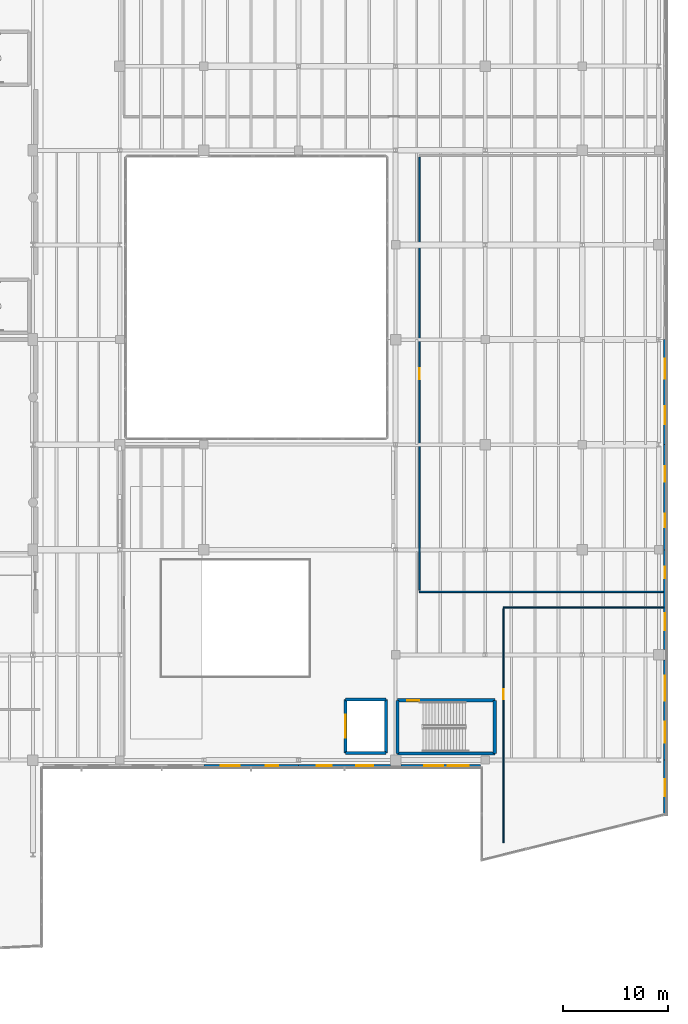
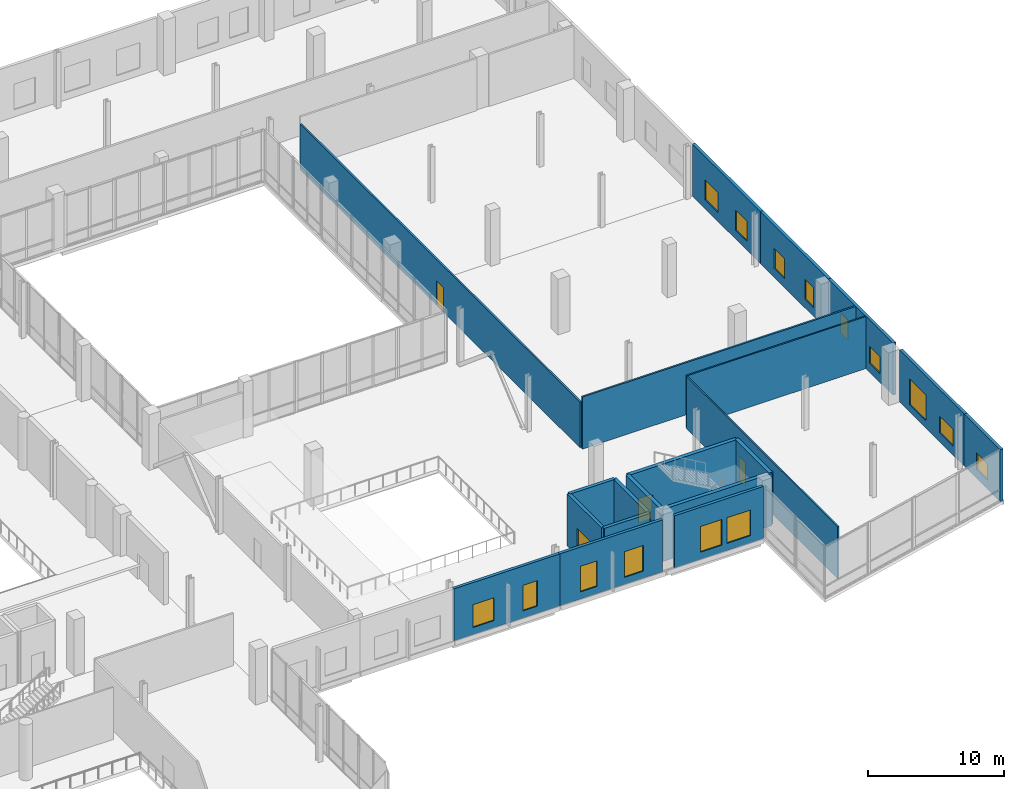
# One storey, part 64 of 81: 20 walls, 15 windows, 4 doors, 19 openings.
"""IFC4 building model written with IfcOpenShell, lengths in metres."""

from ifc_helpers import new_model, si_unit, direction, frame, frame_2d, origin, place, context, subcontext, project, spatial, rectangle, extrude, material, layer, layer_set, type_object, element, fill, save


model = new_model("IFC4")

# Units and contexts
model_context = context("Model", 3, precision=1e-05, world=origin(), true_north=direction((0.0, 1.0)))
body_context = subcontext(model_context, "Body", "Model", "MODEL_VIEW")
ifc_project = project(units=[si_unit("LENGTHUNIT", "METRE"), si_unit("AREAUNIT", "SQUARE_METRE"), si_unit("VOLUMEUNIT", "CUBIC_METRE"), si_unit("PLANEANGLEUNIT", "RADIAN"), si_unit("MASSUNIT", "GRAM", prefix="KILO")], contexts=[model_context])

# Site, building, storey
site_placement = place(None, origin())
site = spatial("IfcSite", under=ifc_project, at=site_placement, CompositionType="ELEMENT")
building_placement = place(site_placement, origin())
building = spatial("IfcBuilding", under=site, at=building_placement, Name="Trimount Lyric Opera House", CompositionType="ELEMENT")
storey_placement = place(building_placement, frame((0.0, 0.0, 5.0)))
storey = spatial("IfcBuildingStorey", under=building, at=storey_placement, Name="L01", CompositionType="ELEMENT", Elevation=5.0)

# Wall
ifc_material_1 = material(Name="Gypsum Board Partition")
ifc_layer_1 = layer(ifc_material_1, 0.1201171875)
ifc_layer_set_1 = layer_set([ifc_layer_1], Name="WL-PT120")
wall_type_1 = type_object("IfcWallType", Name="WL-PT120", PredefinedType="PARTITIONING", material=ifc_layer_set_1)
wall_1_placement = place(storey_placement, frame((173.75, 58.5, 0.0), z_axis=(0.0, 0.0, 1.0), x_axis=(-1.0, 0.0, 0.0)))
element("IfcWall", 1, at=wall_1_placement, inside=storey, type_object=wall_type_1, Name="L01 Production Management Offices N partition", PredefinedType="PARTITIONING", context=body_context, shape_type="SweptSolid", body=[
    extrude(rectangle(XDim=15.25, YDim=0.1201171875, at=frame_2d((7.625, 0.0))), origin(), (0.0, 0.0, 1.0), 4.679931640625),
])

# Wall, opening, door
wall_2_placement = place(storey_placement, frame((158.5, 58.3798828125, 0.0), z_axis=(0.0, 0.0, 1.0), x_axis=(0.0, -1.0, 0.0)))
wall_2 = element("IfcWall", 2, at=wall_2_placement, inside=storey, type_object=wall_type_1, Name="L01 Production Management Offices W partition", PredefinedType="PARTITIONING", context=body_context, shape_type="SweptSolid", body=[
    extrude(rectangle(XDim=22.259765625, YDim=0.1201171875, at=frame_2d((11.1298828125, 0.0))), origin(), (0.0, 0.0, 1.0), 4.679931640625),
])
opening_1_placement = place(wall_2_placement, frame((7.655029296875, 0.0, 0.0)))
opening_1 = element("IfcOpeningElement", 3, at=opening_1_placement, cuts=wall_2, Name="Opening DT-RM2", PredefinedType="OPENING", context=body_context, shape_type="SweptSolid", body=[
    extrude(rectangle(XDim=0.949951171875, YDim=2.14990234375, at=frame_2d((0.47509765625, 1.074951171875))), frame((0.0, 0.070068359375, 0.0), z_axis=(0.0, -1.0, 0.0), x_axis=(1.0, 0.0, 0.0)), (0.0, 0.0, 1.0), 0.14013671875),
])
ifc_material_2 = material(Name="Solid Core White Oak")
door_type_1 = type_object("IfcDoorType", Name="DT-RM2", OperationType="NOTDEFINED", PredefinedType="DOOR", material=ifc_material_2)
door_1_placement = place(opening_1_placement, origin())
door_1 = element("IfcDoor", 4, at=door_1_placement, inside=storey, type_object=door_type_1, Name="D-206", OperationType="SINGLE_SWING_RIGHT", OverallHeight=2.14990234375, OverallWidth=0.949951171875, PredefinedType="DOOR", context=body_context, shape_type="SweptSolid", body=[
    extrude(rectangle(XDim=0.949951171875, YDim=2.14990234375, at=frame_2d((0.47509765625, 1.074951171875))), frame((0.0, 0.02490234375, 0.0), z_axis=(0.0, -1.0, 0.0), x_axis=(1.0, 0.0, 0.0)), (0.0, 0.0, 1.0), 0.050048828125),
])
fill(opening_1, door_1)

# Wall
ifc_material_3 = material(Name="Fire-Rated Gypsum Board Partition")
ifc_layer_2 = layer(ifc_material_3, 0.14990234375)
ifc_layer_set_2 = layer_set([ifc_layer_2], Name="WL-PT150")
wall_type_2 = type_object("IfcWallType", Name="WL-PT150", PredefinedType="PARTITIONING", material=ifc_layer_set_2)
wall_3_placement = place(storey_placement, frame((150.5, 60.0, 0.0), z_axis=(0.0, 0.0, 1.0), x_axis=(1.0, 0.0, 0.0)))
element("IfcWall", 5, at=wall_3_placement, inside=storey, type_object=wall_type_2, Name="L01 Scenic Backdrop Paint Loft S partition", PredefinedType="PARTITIONING", context=body_context, shape_type="SweptSolid", body=[
    extrude(rectangle(XDim=23.25, YDim=0.14990234375, at=frame_2d((11.625, 0.0))), origin(), (0.0, 0.0, 1.0), 4.679931640625),
])

# Wall, opening, door
wall_4_placement = place(storey_placement, frame((150.5, 101.35009765625, 0.0), z_axis=(0.0, 0.0, 1.0), x_axis=(0.0, -1.0, 0.0)))
wall_4 = element("IfcWall", 6, at=wall_4_placement, inside=storey, type_object=wall_type_2, Name="L01 Scenic Backdrop Paint Loft W partition", PredefinedType="PARTITIONING", context=body_context, shape_type="SweptSolid", body=[
    extrude(rectangle(XDim=41.2001953125, YDim=0.14990234375, at=frame_2d((20.60009765625, 0.0))), origin(), (0.0, 0.0, 1.0), 4.10791015625),
])
opening_2_placement = place(wall_4_placement, frame((20.074951171875, 0.0, 0.0)))
opening_2 = element("IfcOpeningElement", 7, at=opening_2_placement, cuts=wall_4, Name="Opening DT-RM3", PredefinedType="OPENING", context=body_context, shape_type="SweptSolid", body=[
    extrude(rectangle(XDim=1.050048828125, YDim=2.199951171875, at=frame_2d((0.52490234375, 1.10009765625))), frame((0.0, 0.0849609375, 0.0), z_axis=(0.0, -1.0, 0.0), x_axis=(1.0, 0.0, 0.0)), (0.0, 0.0, 1.0), 0.169921875),
])
ifc_material_4 = material(Name="Solid Core White Oak")
door_type_2 = type_object("IfcDoorType", Name="DT-RM3", OperationType="NOTDEFINED", PredefinedType="DOOR", material=ifc_material_4)
door_2_placement = place(opening_2_placement, origin())
door_2 = element("IfcDoor", 8, at=door_2_placement, inside=storey, type_object=door_type_2, Name="D-202", OperationType="SINGLE_SWING_LEFT", OverallHeight=2.199951171875, OverallWidth=1.050048828125, PredefinedType="DOOR", context=body_context, shape_type="SweptSolid", body=[
    extrude(rectangle(XDim=1.050048828125, YDim=2.199951171875, at=frame_2d((0.52490234375, 1.10009765625))), frame((0.0, 0.02490234375, 0.0), z_axis=(0.0, -1.0, 0.0), x_axis=(1.0, 0.0, 0.0)), (0.0, 0.0, 1.0), 0.050048828125),
])
fill(opening_2, door_2)

# Walls
ifc_material_5 = material(Name="Concrete C40/50", Category="concrete")
ifc_layer_3 = layer(ifc_material_5, 0.280029296875)
ifc_layer_set_3 = layer_set([ifc_layer_3], Name="WL-SH280")
wall_type_3 = type_object("IfcWallType", Name="WL-SH280", PredefinedType="SHEAR", material=ifc_layer_set_3)
for number, where, z_axis, x_axis, name in (
    (9, (143.4599609375, 44.659912109375, 0.0), (0.0, 0.0, 1.0), (1.0, 0.0, 0.0), "Lift LF-07 L01 south shaft wall"),
    (10, (147.340087890625, 49.739990234375, 0.0), (0.0, 0.0, 1.0), (-1.0, 0.0, 0.0), "Lift LF-07 L01 north shaft wall"),
):
    element("IfcWall", number, at=place(storey_placement, frame(where, z_axis=z_axis, x_axis=x_axis)), inside=storey, type_object=wall_type_3, Name=name, PredefinedType="SHEAR", context=body_context, shape_type="SweptSolid", body=[
        extrude(rectangle(XDim=3.880126953125, YDim=0.280029296875, at=frame_2d((1.93994140625, 0.0))), origin(), (0.0, 0.0, 1.0), 4.679931640625),
    ])

# Wall, opening, door
wall_5_placement = place(storey_placement, frame((143.4599609375, 49.739990234375, 0.0), z_axis=(0.0, 0.0, 1.0), x_axis=(0.0, -1.0, 0.0)))
wall_5 = element("IfcWall", 11, at=wall_5_placement, inside=storey, type_object=wall_type_3, Name="Lift LF-07 L01 west shaft wall", PredefinedType="SHEAR", context=body_context, shape_type="SweptSolid", body=[
    extrude(rectangle(XDim=5.080078125, YDim=0.280029296875, at=frame_2d((2.5400390625, 0.0))), origin(), (0.0, 0.0, 1.0), 4.679931640625),
])
opening_3_placement = place(wall_5_placement, frame((1.43994140625, 0.0, 0.0)))
opening_3 = element("IfcOpeningElement", 12, at=opening_3_placement, cuts=wall_5, Name="Opening DT-LD2", PredefinedType="OPENING", context=body_context, shape_type="SweptSolid", body=[
    extrude(rectangle(XDim=2.199951171875, YDim=2.449951171875, at=frame_2d((1.10009765625, 1.22509765625))), frame((0.0, 0.14990234375, 0.0), z_axis=(0.0, -1.0, 0.0), x_axis=(1.0, 0.0, 0.0)), (0.0, 0.0, 1.0), 0.300048828125),
])
ifc_material_6 = material(Name="Heavy-Duty Stainless Steel", Category="steel")
door_type_3 = type_object("IfcDoorType", Name="DT-LD2", OperationType="DOUBLE_DOOR_SLIDING", PredefinedType="DOOR", material=ifc_material_6)
door_3_placement = place(opening_3_placement, origin())
door_3 = element("IfcDoor", 13, at=door_3_placement, inside=storey, type_object=door_type_3, Name="D-114", OperationType="DOUBLE_DOOR_SLIDING", OverallHeight=2.449951171875, OverallWidth=2.199951171875, PredefinedType="DOOR", context=body_context, shape_type="SweptSolid", body=[
    extrude(rectangle(XDim=2.199951171875, YDim=2.449951171875, at=frame_2d((1.10009765625, 1.22509765625))), frame((0.0, 0.02490234375, 0.0), z_axis=(0.0, -1.0, 0.0), x_axis=(1.0, 0.0, 0.0)), (0.0, 0.0, 1.0), 0.050048828125),
])
fill(opening_3, door_3)

# Walls
wall_6_placement = place(storey_placement, frame((147.340087890625, 44.659912109375, 0.0), z_axis=(0.0, 0.0, 1.0), x_axis=(0.0, 1.0, 0.0)))
element("IfcWall", 14, at=wall_6_placement, inside=storey, type_object=wall_type_3, Name="Lift LF-07 L01 east shaft wall", PredefinedType="SHEAR", context=body_context, shape_type="SweptSolid", body=[
    extrude(rectangle(XDim=5.080078125, YDim=0.280029296875, at=frame_2d((2.5400390625, 0.0))), origin(), (0.0, 0.0, 1.0), 4.679931640625),
])
ifc_material_7 = material(Name="Concrete C40/50", Category="concrete")
ifc_layer_4 = layer(ifc_material_7, 0.320068359375)
ifc_layer_set_4 = layer_set([ifc_layer_4], Name="WL-SH320")
wall_type_4 = type_object("IfcWallType", Name="WL-SH320", PredefinedType="SHEAR", material=ifc_layer_set_4)
wall_7_placement = place(storey_placement, frame((148.425048828125, 44.625, 0.0), z_axis=(0.0, 0.0, 1.0), x_axis=(1.0, 0.0, 0.0)))
element("IfcWall", 15, at=wall_7_placement, inside=storey, type_object=wall_type_4, Name="K5 L01 south shaft wall", PredefinedType="SHEAR", context=body_context, shape_type="SweptSolid", body=[
    extrude(rectangle(XDim=9.25, YDim=0.320068359375, at=frame_2d((4.625, 0.0))), origin(), (0.0, 0.0, 1.0), 4.679931640625),
])

# Wall, opening, door
wall_8_placement = place(storey_placement, frame((157.675048828125, 49.675048828125, 0.0), z_axis=(0.0, 0.0, 1.0), x_axis=(-1.0, 0.0, 0.0)))
wall_8 = element("IfcWall", 16, at=wall_8_placement, inside=storey, type_object=wall_type_4, Name="K5 L01 north shaft wall", PredefinedType="SHEAR", context=body_context, shape_type="SweptSolid", body=[
    extrude(rectangle(XDim=9.25, YDim=0.320068359375, at=frame_2d((4.625, 0.0))), origin(), (0.0, 0.0, 1.0), 4.679931640625),
])
opening_4_placement = place(wall_8_placement, frame((7.199951171875, 0.0, 0.0)))
opening_4 = element("IfcOpeningElement", 17, at=opening_4_placement, cuts=wall_8, Name="Opening DT-ST1", PredefinedType="OPENING", context=body_context, shape_type="SweptSolid", body=[
    extrude(rectangle(XDim=1.14990234375, YDim=2.199951171875, at=frame_2d((0.574951171875, 1.10009765625))), frame((0.0, 0.169921875, 0.0), z_axis=(0.0, -1.0, 0.0), x_axis=(1.0, 0.0, 0.0)), (0.0, 0.0, 1.0), 0.340087890625),
])
ifc_material_8 = material(Name="Fire-Rated Hollow Steel", Category="steel")
door_type_4 = type_object("IfcDoorType", Name="DT-ST1", OperationType="NOTDEFINED", PredefinedType="DOOR", material=ifc_material_8)
door_4_placement = place(opening_4_placement, origin())
door_4 = element("IfcDoor", 18, at=door_4_placement, inside=storey, type_object=door_type_4, Name="D-041", OperationType="SINGLE_SWING_LEFT", OverallHeight=2.199951171875, OverallWidth=1.14990234375, PredefinedType="DOOR", context=body_context, shape_type="SweptSolid", body=[
    extrude(rectangle(XDim=1.14990234375, YDim=2.199951171875, at=frame_2d((0.574951171875, 1.10009765625))), frame((0.0, 0.02490234375, 0.0), z_axis=(0.0, -1.0, 0.0), x_axis=(1.0, 0.0, 0.0)), (0.0, 0.0, 1.0), 0.050048828125),
])
fill(opening_4, door_4)

# Walls
for number, where, z_axis, x_axis, name in (
    (19, (148.425048828125, 49.675048828125, 0.0), (0.0, 0.0, 1.0), (0.0, -1.0, 0.0), "K5 L01 west shaft wall"),
    (20, (157.675048828125, 44.625, 0.0), (0.0, 0.0, 1.0), (0.0, 1.0, 0.0), "K5 L01 east shaft wall"),
):
    element("IfcWall", number, at=place(storey_placement, frame(where, z_axis=z_axis, x_axis=x_axis)), inside=storey, type_object=wall_type_4, Name=name, PredefinedType="SHEAR", context=body_context, shape_type="SweptSolid", body=[
        extrude(rectangle(XDim=5.050048828125, YDim=0.320068359375, at=frame_2d((2.52490234375, 0.0))), origin(), (0.0, 0.0, 1.0), 4.679931640625),
    ])

# Wall, openings, windows
ifc_material_9 = material(Name="Concrete C35/45", Category="concrete")
ifc_layer_5 = layer(ifc_material_9, 0.25)
ifc_layer_set_5 = layer_set([ifc_layer_5], Name="WL-SW250")
wall_type_5 = type_object("IfcWallType", Name="WL-SW250", PredefinedType="SOLIDWALL", material=ifc_layer_set_5)
wall_9_placement = place(storey_placement, frame((156.320068359375, 43.4599609375, 0.0), z_axis=(0.0, 0.0, 1.0), x_axis=(-1.0, 0.0, 0.0)))
wall_9 = element("IfcWall", 21, at=wall_9_placement, inside=storey, type_object=wall_type_5, Name="L01 exterior facade wall 149", PredefinedType="SOLIDWALL", context=body_context, shape_type="SweptSolid", body=[
    extrude(rectangle(XDim=7.580078125, YDim=0.25, at=frame_2d((3.7900390625, 0.0))), origin(), (0.0, 0.0, 1.0), 4.679931640625),
])
opening_5_placement = place(wall_9_placement, frame((1.122314453125, 0.0, 0.64990234375)))
opening_5 = element("IfcOpeningElement", 22, at=opening_5_placement, cuts=wall_9, Name="Opening WT-03", PredefinedType="OPENING", context=body_context, shape_type="SweptSolid", body=[
    extrude(rectangle(XDim=2.0, YDim=2.300048828125, at=frame_2d((1.0, 1.14990234375))), frame((0.0, 0.135009765625, 0.0), z_axis=(0.0, -1.0, 0.0), x_axis=(1.0, 0.0, 0.0)), (0.0, 0.0, 1.0), 0.27001953125),
])
opening_6_placement = place(wall_9_placement, frame((3.5576171875, 0.0, 0.64990234375)))
opening_6 = element("IfcOpeningElement", 23, at=opening_6_placement, cuts=wall_9, Name="Opening WT-04", PredefinedType="OPENING", context=body_context, shape_type="SweptSolid", body=[
    extrude(rectangle(XDim=1.800048828125, YDim=2.300048828125, at=frame_2d((0.89990234375, 1.14990234375))), frame((0.0, 0.135009765625, 0.0), z_axis=(0.0, -1.0, 0.0), x_axis=(1.0, 0.0, 0.0)), (0.0, 0.0, 1.0), 0.27001953125),
])
ifc_material_10 = material(Name="Triple Acoustic Glazing in Aluminium Frame", Category="aluminium")
window_type_1 = type_object("IfcWindowType", Name="WT-03", PartitioningType="DOUBLE_PANEL_VERTICAL", PredefinedType="WINDOW", material=ifc_material_10)
window_1_placement = place(opening_5_placement, origin())
window_1 = element("IfcWindow", 24, at=window_1_placement, inside=storey, type_object=window_type_1, Name="Window WT-03-0055", OverallHeight=2.300048828125, OverallWidth=2.0, PartitioningType="SINGLE_PANEL", PredefinedType="WINDOW", context=body_context, shape_type="SweptSolid", body=[
    extrude(rectangle(XDim=2.0, YDim=2.300048828125, at=frame_2d((1.0, 1.14990234375))), frame((0.0, 0.030029296875, 0.0), z_axis=(0.0, -1.0, 0.0), x_axis=(1.0, 0.0, 0.0)), (0.0, 0.0, 1.0), 0.06005859375),
])
fill(opening_5, window_1)
ifc_material_11 = material(Name="Triple Acoustic Glazing in Aluminium Frame", Category="aluminium")
window_type_2 = type_object("IfcWindowType", Name="WT-04", PartitioningType="DOUBLE_PANEL_VERTICAL", PredefinedType="WINDOW", material=ifc_material_11)
window_2_placement = place(opening_6_placement, origin())
window_2 = element("IfcWindow", 25, at=window_2_placement, inside=storey, type_object=window_type_2, Name="Window WT-04-0056", OverallHeight=2.300048828125, OverallWidth=1.800048828125, PartitioningType="SINGLE_PANEL", PredefinedType="WINDOW", context=body_context, shape_type="SweptSolid", body=[
    extrude(rectangle(XDim=1.800048828125, YDim=2.300048828125, at=frame_2d((0.89990234375, 1.14990234375))), frame((0.0, 0.030029296875, 0.0), z_axis=(0.0, -1.0, 0.0), x_axis=(1.0, 0.0, 0.0)), (0.0, 0.0, 1.0), 0.06005859375),
])
fill(opening_6, window_2)

wall_10_placement = place(storey_placement, frame((147.739990234375, 43.4599609375, 0.0), z_axis=(0.0, 0.0, 1.0), x_axis=(-1.0, 0.0, 0.0)))
wall_10 = element("IfcWall", 26, at=wall_10_placement, inside=storey, type_object=wall_type_5, Name="L01 exterior facade wall 150", PredefinedType="SOLIDWALL", context=body_context, shape_type="SweptSolid", body=[
    extrude(rectangle(XDim=8.739990234375, YDim=0.25, at=frame_2d((4.3701171875, 0.0))), origin(), (0.0, 0.0, 1.0), 4.679931640625),
])
opening_7_placement = place(wall_10_placement, frame((1.647216796875, 0.0, 0.64990234375)))
opening_7 = element("IfcOpeningElement", 27, at=opening_7_placement, cuts=wall_10, Name="Opening WT-05", PredefinedType="OPENING", context=body_context, shape_type="SweptSolid", body=[
    extrude(rectangle(XDim=1.60009765625, YDim=2.300048828125, at=frame_2d((0.800048828125, 1.14990234375))), frame((0.0, 0.135009765625, 0.0), z_axis=(0.0, -1.0, 0.0), x_axis=(1.0, 0.0, 0.0)), (0.0, 0.0, 1.0), 0.27001953125),
])
opening_8_placement = place(wall_10_placement, frame((5.5927734375, 0.0, 0.64990234375)))
opening_8 = element("IfcOpeningElement", 28, at=opening_8_placement, cuts=wall_10, Name="Opening WT-06", PredefinedType="OPENING", context=body_context, shape_type="SweptSolid", body=[
    extrude(rectangle(XDim=1.39990234375, YDim=2.300048828125, at=frame_2d((0.699951171875, 1.14990234375))), frame((0.0, 0.135009765625, 0.0), z_axis=(0.0, -1.0, 0.0), x_axis=(1.0, 0.0, 0.0)), (0.0, 0.0, 1.0), 0.27001953125),
])
ifc_material_12 = material(Name="Triple Acoustic Glazing in Aluminium Frame", Category="aluminium")
window_type_3 = type_object("IfcWindowType", Name="WT-05", PartitioningType="SINGLE_PANEL", PredefinedType="WINDOW", material=ifc_material_12)
window_3_placement = place(opening_7_placement, origin())
window_3 = element("IfcWindow", 29, at=window_3_placement, inside=storey, type_object=window_type_3, Name="Window WT-05-0057", OverallHeight=2.300048828125, OverallWidth=1.60009765625, PartitioningType="SINGLE_PANEL", PredefinedType="WINDOW", context=body_context, shape_type="SweptSolid", body=[
    extrude(rectangle(XDim=1.60009765625, YDim=2.300048828125, at=frame_2d((0.800048828125, 1.14990234375))), frame((0.0, 0.030029296875, 0.0), z_axis=(0.0, -1.0, 0.0), x_axis=(1.0, 0.0, 0.0)), (0.0, 0.0, 1.0), 0.06005859375),
])
fill(opening_7, window_3)
ifc_material_13 = material(Name="Triple Acoustic Glazing in Aluminium Frame", Category="aluminium")
window_type_4 = type_object("IfcWindowType", Name="WT-06", PartitioningType="SINGLE_PANEL", PredefinedType="WINDOW", material=ifc_material_13)
window_4_placement = place(opening_8_placement, origin())
window_4 = element("IfcWindow", 30, at=window_4_placement, inside=storey, type_object=window_type_4, Name="Window WT-06-0058", OverallHeight=2.300048828125, OverallWidth=1.39990234375, PartitioningType="SINGLE_PANEL", PredefinedType="WINDOW", context=body_context, shape_type="SweptSolid", body=[
    extrude(rectangle(XDim=1.39990234375, YDim=2.300048828125, at=frame_2d((0.699951171875, 1.14990234375))), frame((0.0, 0.030029296875, 0.0), z_axis=(0.0, -1.0, 0.0), x_axis=(1.0, 0.0, 0.0)), (0.0, 0.0, 1.0), 0.06005859375),
])
fill(opening_8, window_4)

wall_11_placement = place(storey_placement, frame((139.0, 43.4599609375, 0.0), z_axis=(0.0, 0.0, 1.0), x_axis=(-1.0, 0.0, 0.0)))
wall_11 = element("IfcWall", 31, at=wall_11_placement, inside=storey, type_object=wall_type_5, Name="L01 exterior facade wall 151", PredefinedType="SOLIDWALL", context=body_context, shape_type="SweptSolid", body=[
    extrude(rectangle(XDim=9.0, YDim=0.25, at=frame_2d((4.5, 0.0))), origin(), (0.0, 0.0, 1.0), 4.679931640625),
])
opening_9_placement = place(wall_11_placement, frame((1.919921875, 0.0, 0.64990234375)))
opening_9 = element("IfcOpeningElement", 32, at=opening_9_placement, cuts=wall_11, Name="Opening WT-07", PredefinedType="OPENING", context=body_context, shape_type="SweptSolid", body=[
    extrude(rectangle(XDim=1.199951171875, YDim=2.300048828125, at=frame_2d((0.60009765625, 1.14990234375))), frame((0.0, 0.135009765625, 0.0), z_axis=(0.0, -1.0, 0.0), x_axis=(1.0, 0.0, 0.0)), (0.0, 0.0, 1.0), 0.27001953125),
])
opening_10_placement = place(wall_11_placement, frame((5.580078125, 0.0, 0.64990234375)))
opening_10 = element("IfcOpeningElement", 33, at=opening_10_placement, cuts=wall_11, Name="Opening WT-11", PredefinedType="OPENING", context=body_context, shape_type="SweptSolid", body=[
    extrude(rectangle(XDim=1.800048828125, YDim=2.050048828125, at=frame_2d((0.89990234375, 1.02490234375))), frame((0.0, 0.135009765625, 0.0), z_axis=(0.0, -1.0, 0.0), x_axis=(1.0, 0.0, 0.0)), (0.0, 0.0, 1.0), 0.27001953125),
])
ifc_material_14 = material(Name="Triple Acoustic Glazing in Aluminium Frame", Category="aluminium")
window_type_5 = type_object("IfcWindowType", Name="WT-07", PartitioningType="SINGLE_PANEL", PredefinedType="WINDOW", material=ifc_material_14)
window_5_placement = place(opening_9_placement, origin())
window_5 = element("IfcWindow", 34, at=window_5_placement, inside=storey, type_object=window_type_5, Name="Window WT-07-0059", OverallHeight=2.300048828125, OverallWidth=1.199951171875, PartitioningType="SINGLE_PANEL", PredefinedType="WINDOW", context=body_context, shape_type="SweptSolid", body=[
    extrude(rectangle(XDim=1.199951171875, YDim=2.300048828125, at=frame_2d((0.60009765625, 1.14990234375))), frame((0.0, 0.030029296875, 0.0), z_axis=(0.0, -1.0, 0.0), x_axis=(1.0, 0.0, 0.0)), (0.0, 0.0, 1.0), 0.06005859375),
])
fill(opening_9, window_5)
ifc_material_15 = material(Name="Low-E Insulated Glazing in Bronze Frame", Category="glass")
window_type_6 = type_object("IfcWindowType", Name="WT-11", PartitioningType="DOUBLE_PANEL_VERTICAL", PredefinedType="WINDOW", material=ifc_material_15)
window_6_placement = place(opening_10_placement, origin())
window_6 = element("IfcWindow", 35, at=window_6_placement, inside=storey, type_object=window_type_6, Name="Window WT-11-0060", OverallHeight=2.050048828125, OverallWidth=1.800048828125, PartitioningType="SINGLE_PANEL", PredefinedType="WINDOW", context=body_context, shape_type="SweptSolid", body=[
    extrude(rectangle(XDim=1.800048828125, YDim=2.050048828125, at=frame_2d((0.89990234375, 1.02490234375))), frame((0.0, 0.030029296875, 0.0), z_axis=(0.0, -1.0, 0.0), x_axis=(1.0, 0.0, 0.0)), (0.0, 0.0, 1.0), 0.06005859375),
])
fill(opening_10, window_6)

wall_12_placement = place(storey_placement, frame((173.860107421875, 84.0, 0.0), z_axis=(0.0, 0.0, 1.0), x_axis=(0.0, -1.0, 0.0)))
wall_12 = element("IfcWall", 36, at=wall_12_placement, inside=storey, type_object=wall_type_5, Name="L01 exterior facade wall 188", PredefinedType="SOLIDWALL", context=body_context, shape_type="SweptSolid", body=[
    extrude(rectangle(XDim=10.0, YDim=0.25, at=frame_2d((5.0, 0.0))), origin(), (0.0, 0.0, 1.0), 4.679931640625),
])
opening_11_placement = place(wall_12_placement, frame((1.85009765625, 0.0, 0.800048828125)))
opening_11 = element("IfcOpeningElement", 37, at=opening_11_placement, cuts=wall_12, Name="Opening WT-18", PredefinedType="OPENING", context=body_context, shape_type="SweptSolid", body=[
    extrude(rectangle(XDim=1.89990234375, YDim=1.800048828125, at=frame_2d((0.949951171875, 0.89990234375))), frame((0.0, 0.135009765625, 0.0), z_axis=(0.0, -1.0, 0.0), x_axis=(1.0, 0.0, 0.0)), (0.0, 0.0, 1.0), 0.27001953125),
])
opening_12_placement = place(wall_12_placement, frame((6.35009765625, 0.0, 0.800048828125)))
opening_12 = element("IfcOpeningElement", 38, at=opening_12_placement, cuts=wall_12, Name="Opening WT-19", PredefinedType="OPENING", context=body_context, shape_type="SweptSolid", body=[
    extrude(rectangle(XDim=1.699951171875, YDim=1.800048828125, at=frame_2d((0.85009765625, 0.89990234375))), frame((0.0, 0.135009765625, 0.0), z_axis=(0.0, -1.0, 0.0), x_axis=(1.0, 0.0, 0.0)), (0.0, 0.0, 1.0), 0.27001953125),
])
ifc_material_16 = material(Name="Dressing Suite Acoustic Window")
window_type_7 = type_object("IfcWindowType", Name="WT-18", PartitioningType="DOUBLE_PANEL_VERTICAL", PredefinedType="WINDOW", material=ifc_material_16)
window_7_placement = place(opening_11_placement, origin())
window_7 = element("IfcWindow", 39, at=window_7_placement, inside=storey, type_object=window_type_7, Name="Window WT-18-0122", OverallHeight=1.800048828125, OverallWidth=1.89990234375, PartitioningType="SINGLE_PANEL", PredefinedType="WINDOW", context=body_context, shape_type="SweptSolid", body=[
    extrude(rectangle(XDim=1.89990234375, YDim=1.800048828125, at=frame_2d((0.949951171875, 0.89990234375))), frame((0.0, 0.030029296875, 0.0), z_axis=(0.0, -1.0, 0.0), x_axis=(1.0, 0.0, 0.0)), (0.0, 0.0, 1.0), 0.06005859375),
])
fill(opening_11, window_7)
ifc_material_17 = material(Name="Dressing Suite Acoustic Window")
window_type_8 = type_object("IfcWindowType", Name="WT-19", PartitioningType="SINGLE_PANEL", PredefinedType="WINDOW", material=ifc_material_17)
window_8_placement = place(opening_12_placement, origin())
window_8 = element("IfcWindow", 40, at=window_8_placement, inside=storey, type_object=window_type_8, Name="Window WT-19-0123", OverallHeight=1.800048828125, OverallWidth=1.699951171875, PartitioningType="SINGLE_PANEL", PredefinedType="WINDOW", context=body_context, shape_type="SweptSolid", body=[
    extrude(rectangle(XDim=1.699951171875, YDim=1.800048828125, at=frame_2d((0.85009765625, 0.89990234375))), frame((0.0, 0.030029296875, 0.0), z_axis=(0.0, -1.0, 0.0), x_axis=(1.0, 0.0, 0.0)), (0.0, 0.0, 1.0), 0.06005859375),
])
fill(opening_12, window_8)

wall_13_placement = place(storey_placement, frame((173.860107421875, 74.0, 0.0), z_axis=(0.0, 0.0, 1.0), x_axis=(0.0, -1.0, 0.0)))
wall_13 = element("IfcWall", 41, at=wall_13_placement, inside=storey, type_object=wall_type_5, Name="L01 exterior facade wall 189", PredefinedType="SOLIDWALL", context=body_context, shape_type="SweptSolid", body=[
    extrude(rectangle(XDim=10.0, YDim=0.25, at=frame_2d((5.0, 0.0))), origin(), (0.0, 0.0, 1.0), 4.679931640625),
])
opening_13_placement = place(wall_13_placement, frame((2.050048828125, 0.0, 0.800048828125)))
opening_13 = element("IfcOpeningElement", 42, at=opening_13_placement, cuts=wall_13, Name="Opening WT-20", PredefinedType="OPENING", context=body_context, shape_type="SweptSolid", body=[
    extrude(rectangle(XDim=1.5, YDim=1.800048828125, at=frame_2d((0.75, 0.89990234375))), frame((0.0, 0.135009765625, 0.0), z_axis=(0.0, -1.0, 0.0), x_axis=(1.0, 0.0, 0.0)), (0.0, 0.0, 1.0), 0.27001953125),
])
opening_14_placement = place(wall_13_placement, frame((6.550048828125, 0.0, 0.800048828125)))
opening_14 = element("IfcOpeningElement", 43, at=opening_14_placement, cuts=wall_13, Name="Opening WT-21", PredefinedType="OPENING", context=body_context, shape_type="SweptSolid", body=[
    extrude(rectangle(XDim=1.300048828125, YDim=1.800048828125, at=frame_2d((0.64990234375, 0.89990234375))), frame((0.0, 0.135009765625, 0.0), z_axis=(0.0, -1.0, 0.0), x_axis=(1.0, 0.0, 0.0)), (0.0, 0.0, 1.0), 0.27001953125),
])
ifc_material_18 = material(Name="Dressing Suite Acoustic Window")
window_type_9 = type_object("IfcWindowType", Name="WT-20", PartitioningType="SINGLE_PANEL", PredefinedType="WINDOW", material=ifc_material_18)
window_9_placement = place(opening_13_placement, origin())
window_9 = element("IfcWindow", 44, at=window_9_placement, inside=storey, type_object=window_type_9, Name="Window WT-20-0124", OverallHeight=1.800048828125, OverallWidth=1.5, PartitioningType="SINGLE_PANEL", PredefinedType="WINDOW", context=body_context, shape_type="SweptSolid", body=[
    extrude(rectangle(XDim=1.5, YDim=1.800048828125, at=frame_2d((0.75, 0.89990234375))), frame((0.0, 0.030029296875, 0.0), z_axis=(0.0, -1.0, 0.0), x_axis=(1.0, 0.0, 0.0)), (0.0, 0.0, 1.0), 0.06005859375),
])
fill(opening_13, window_9)
ifc_material_19 = material(Name="Dressing Suite Acoustic Window")
window_type_10 = type_object("IfcWindowType", Name="WT-21", PartitioningType="SINGLE_PANEL", PredefinedType="WINDOW", material=ifc_material_19)
window_10_placement = place(opening_14_placement, origin())
window_10 = element("IfcWindow", 45, at=window_10_placement, inside=storey, type_object=window_type_10, Name="Window WT-21-0125", OverallHeight=1.800048828125, OverallWidth=1.300048828125, PartitioningType="SINGLE_PANEL", PredefinedType="WINDOW", context=body_context, shape_type="SweptSolid", body=[
    extrude(rectangle(XDim=1.300048828125, YDim=1.800048828125, at=frame_2d((0.64990234375, 0.89990234375))), frame((0.0, 0.030029296875, 0.0), z_axis=(0.0, -1.0, 0.0), x_axis=(1.0, 0.0, 0.0)), (0.0, 0.0, 1.0), 0.06005859375),
])
fill(opening_14, window_10)

wall_14_placement = place(storey_placement, frame((173.860107421875, 64.0, 0.0), z_axis=(0.0, 0.0, 1.0), x_axis=(0.0, -1.0, 0.0)))
wall_14 = element("IfcWall", 46, at=wall_14_placement, inside=storey, type_object=wall_type_5, Name="L01 exterior facade wall 190", PredefinedType="SOLIDWALL", context=body_context, shape_type="SweptSolid", body=[
    extrude(rectangle(XDim=9.5, YDim=0.25, at=frame_2d((4.75, 0.0))), origin(), (0.0, 0.0, 1.0), 4.679931640625),
])
opening_15_placement = place(wall_14_placement, frame((1.610107421875, 0.0, 0.800048828125)))
opening_15 = element("IfcOpeningElement", 47, at=opening_15_placement, cuts=wall_14, Name="Opening WT-22", PredefinedType="OPENING", context=body_context, shape_type="SweptSolid", body=[
    extrude(rectangle(XDim=1.10009765625, YDim=1.800048828125, at=frame_2d((0.550048828125, 0.89990234375))), frame((0.0, 0.135009765625, 0.0), z_axis=(0.0, -1.0, 0.0), x_axis=(1.0, 0.0, 0.0)), (0.0, 0.0, 1.0), 0.27001953125),
])
opening_16_placement = place(wall_14_placement, frame((6.0400390625, 0.0, 0.800048828125)))
opening_16 = element("IfcOpeningElement", 48, at=opening_16_placement, cuts=wall_14, Name="Opening WT-26", PredefinedType="OPENING", context=body_context, shape_type="SweptSolid", body=[
    extrude(rectangle(XDim=1.60009765625, YDim=1.5, at=frame_2d((0.800048828125, 0.75))), frame((0.0, 0.135009765625, 0.0), z_axis=(0.0, -1.0, 0.0), x_axis=(1.0, 0.0, 0.0)), (0.0, 0.0, 1.0), 0.27001953125),
])
ifc_material_20 = material(Name="Practice Room Acoustic Window")
window_type_11 = type_object("IfcWindowType", Name="WT-22", PartitioningType="SINGLE_PANEL", PredefinedType="WINDOW", material=ifc_material_20)
window_11_placement = place(opening_15_placement, origin())
window_11 = element("IfcWindow", 49, at=window_11_placement, inside=storey, type_object=window_type_11, Name="Window WT-22-0126", OverallHeight=1.800048828125, OverallWidth=1.10009765625, PartitioningType="SINGLE_PANEL", PredefinedType="WINDOW", context=body_context, shape_type="SweptSolid", body=[
    extrude(rectangle(XDim=1.10009765625, YDim=1.800048828125, at=frame_2d((0.550048828125, 0.89990234375))), frame((0.0, 0.030029296875, 0.0), z_axis=(0.0, -1.0, 0.0), x_axis=(1.0, 0.0, 0.0)), (0.0, 0.0, 1.0), 0.06005859375),
])
fill(opening_15, window_11)
ifc_material_21 = material(Name="Clerestory Ribbon Glazing", Category="glass")
window_type_12 = type_object("IfcWindowType", Name="WT-26", PartitioningType="SINGLE_PANEL", PredefinedType="WINDOW", material=ifc_material_21)
window_12_placement = place(opening_16_placement, origin())
window_12 = element("IfcWindow", 50, at=window_12_placement, inside=storey, type_object=window_type_12, Name="Window WT-26-0127", OverallHeight=1.5, OverallWidth=1.60009765625, PartitioningType="SINGLE_PANEL", PredefinedType="WINDOW", context=body_context, shape_type="SweptSolid", body=[
    extrude(rectangle(XDim=1.60009765625, YDim=1.5, at=frame_2d((0.800048828125, 0.75))), frame((0.0, 0.030029296875, 0.0), z_axis=(0.0, -1.0, 0.0), x_axis=(1.0, 0.0, 0.0)), (0.0, 0.0, 1.0), 0.06005859375),
])
fill(opening_16, window_12)

wall_15_placement = place(storey_placement, frame((173.860107421875, 53.5, 0.0), z_axis=(0.0, 0.0, 1.0), x_axis=(0.0, -1.0, 0.0)))
wall_15 = element("IfcWall", 51, at=wall_15_placement, inside=storey, type_object=wall_type_5, Name="L01 exterior facade wall 191", PredefinedType="SOLIDWALL", context=body_context, shape_type="SweptSolid", body=[
    extrude(rectangle(XDim=9.5, YDim=0.25, at=frame_2d((4.75, 0.0))), origin(), (0.0, 0.0, 1.0), 4.679931640625),
])
opening_17_placement = place(wall_15_placement, frame((1.4599609375, 0.0, 0.64990234375)))
opening_17 = element("IfcOpeningElement", 52, at=opening_17_placement, cuts=wall_15, Name="Opening WT-01", PredefinedType="OPENING", context=body_context, shape_type="SweptSolid", body=[
    extrude(rectangle(XDim=2.39990234375, YDim=2.300048828125, at=frame_2d((1.199951171875, 1.14990234375))), frame((0.0, 0.135009765625, 0.0), z_axis=(0.0, -1.0, 0.0), x_axis=(1.0, 0.0, 0.0)), (0.0, 0.0, 1.0), 0.27001953125),
])
opening_18_placement = place(wall_15_placement, frame((5.840087890625, 0.0, 0.800048828125)))
opening_18 = element("IfcOpeningElement", 53, at=opening_18_placement, cuts=wall_15, Name="Opening WT-25", PredefinedType="OPENING", context=body_context, shape_type="SweptSolid", body=[
    extrude(rectangle(XDim=2.0, YDim=1.5, at=frame_2d((1.0, 0.75))), frame((0.0, 0.135009765625, 0.0), z_axis=(0.0, -1.0, 0.0), x_axis=(1.0, 0.0, 0.0)), (0.0, 0.0, 1.0), 0.27001953125),
])
ifc_material_22 = material(Name="Triple Acoustic Glazing in Aluminium Frame", Category="aluminium")
window_type_13 = type_object("IfcWindowType", Name="WT-01", PartitioningType="DOUBLE_PANEL_VERTICAL", PredefinedType="WINDOW", material=ifc_material_22)
window_13_placement = place(opening_17_placement, origin())
window_13 = element("IfcWindow", 54, at=window_13_placement, inside=storey, type_object=window_type_13, Name="Window WT-01-0128", OverallHeight=2.300048828125, OverallWidth=2.39990234375, PartitioningType="SINGLE_PANEL", PredefinedType="WINDOW", context=body_context, shape_type="SweptSolid", body=[
    extrude(rectangle(XDim=2.39990234375, YDim=2.300048828125, at=frame_2d((1.199951171875, 1.14990234375))), frame((0.0, 0.030029296875, 0.0), z_axis=(0.0, -1.0, 0.0), x_axis=(1.0, 0.0, 0.0)), (0.0, 0.0, 1.0), 0.06005859375),
])
fill(opening_17, window_13)
ifc_material_23 = material(Name="Clerestory Ribbon Glazing", Category="glass")
window_type_14 = type_object("IfcWindowType", Name="WT-25", PartitioningType="DOUBLE_PANEL_HORIZONTAL", PredefinedType="WINDOW", material=ifc_material_23)
window_14_placement = place(opening_18_placement, origin())
window_14 = element("IfcWindow", 55, at=window_14_placement, inside=storey, type_object=window_type_14, Name="Window WT-25-0129", OverallHeight=1.5, OverallWidth=2.0, PartitioningType="SINGLE_PANEL", PredefinedType="WINDOW", context=body_context, shape_type="SweptSolid", body=[
    extrude(rectangle(XDim=2.0, YDim=1.5, at=frame_2d((1.0, 0.75))), frame((0.0, 0.030029296875, 0.0), z_axis=(0.0, -1.0, 0.0), x_axis=(1.0, 0.0, 0.0)), (0.0, 0.0, 1.0), 0.06005859375),
])
fill(opening_18, window_14)

# Wall, opening, window
wall_16_placement = place(storey_placement, frame((173.860107421875, 44.0, 0.0), z_axis=(0.0, 0.0, 1.0), x_axis=(0.0, -1.0, 0.0)))
wall_16 = element("IfcWall", 56, at=wall_16_placement, inside=storey, type_object=wall_type_5, Name="L01 exterior facade wall 192", PredefinedType="SOLIDWALL", context=body_context, shape_type="SweptSolid", body=[
    extrude(rectangle(XDim=5.280029296875, YDim=0.25, at=frame_2d((2.64013671875, 0.0))), origin(), (0.0, 0.0, 1.0), 4.679931640625),
])
opening_19_placement = place(wall_16_placement, frame((1.840087890625, 0.0, 0.800048828125)))
opening_19 = element("IfcOpeningElement", 57, at=opening_19_placement, cuts=wall_16, Name="Opening WT-26", PredefinedType="OPENING", context=body_context, shape_type="SweptSolid", body=[
    extrude(rectangle(XDim=1.60009765625, YDim=1.5, at=frame_2d((0.800048828125, 0.75))), frame((0.0, 0.135009765625, 0.0), z_axis=(0.0, -1.0, 0.0), x_axis=(1.0, 0.0, 0.0)), (0.0, 0.0, 1.0), 0.27001953125),
])
window_15_placement = place(opening_19_placement, origin())
window_15 = element("IfcWindow", 58, at=window_15_placement, inside=storey, type_object=window_type_12, Name="Window WT-26-0130", OverallHeight=1.5, OverallWidth=1.60009765625, PartitioningType="SINGLE_PANEL", PredefinedType="WINDOW", context=body_context, shape_type="SweptSolid", body=[
    extrude(rectangle(XDim=1.60009765625, YDim=1.5, at=frame_2d((0.800048828125, 0.75))), frame((0.0, 0.030029296875, 0.0), z_axis=(0.0, -1.0, 0.0), x_axis=(1.0, 0.0, 0.0)), (0.0, 0.0, 1.0), 0.06005859375),
])
fill(opening_19, window_15)

save(model, "model.ifc")
